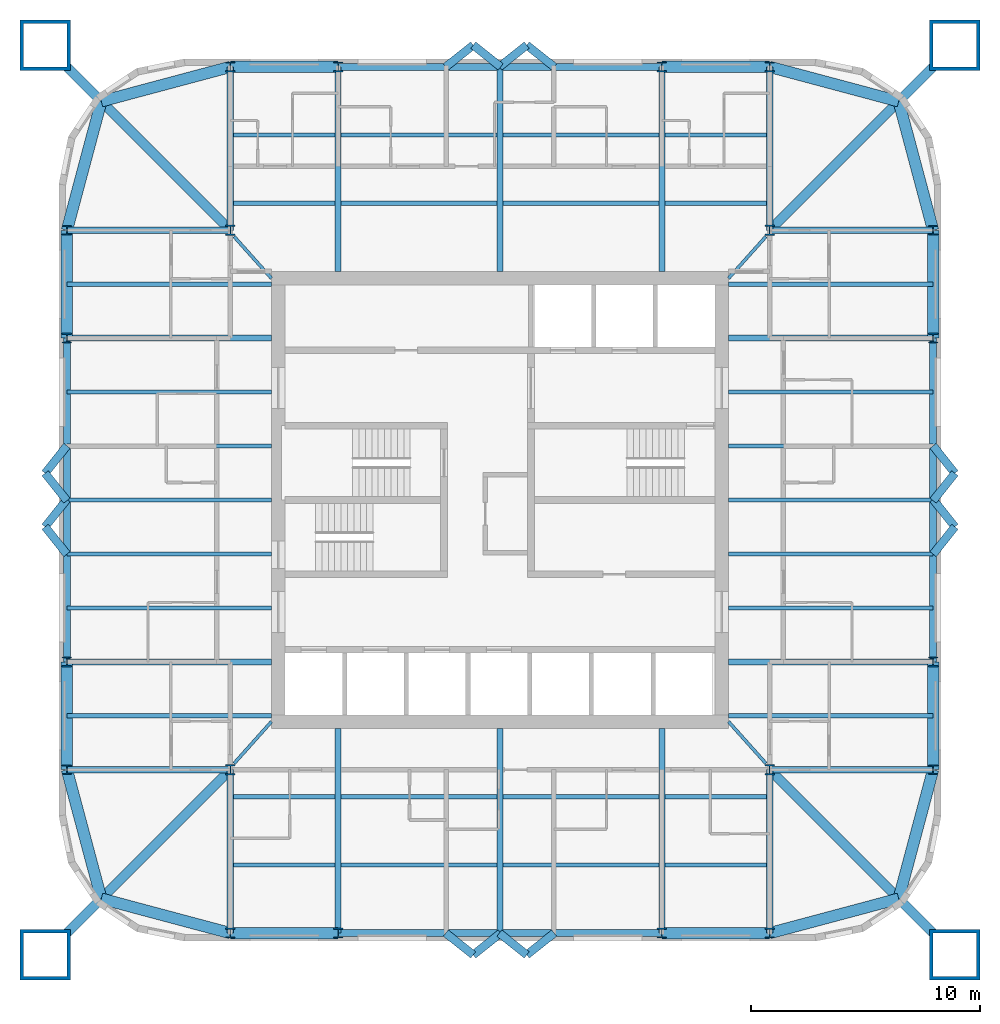
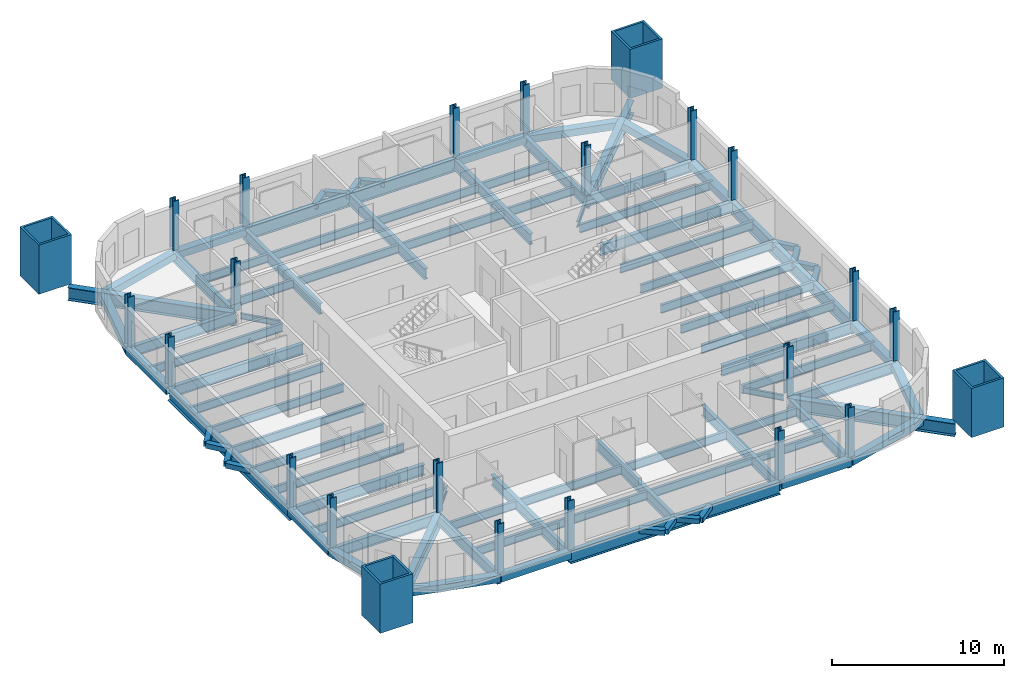
# One storey, part 1 of 9: 92 beams, 24 columns.
"""IFC4 building model written with IfcOpenShell, lengths in metres."""

import ifcopenshell
import ifcopenshell.guid

model = None  # the IFC model being written
_history = None  # IfcOwnerHistory: only IFC2X3 demands one
_inside = {}  # id of a spatial element -> (the spatial element, [elements in it])
_under = {}  # id of a project, library or spatial element -> (it, [spatial elements below it])
_declared = {}  # id of a project -> (the project, [libraries it declares])
_typed = {}  # id of a type object -> (the type object, [elements of that type])
_made_of = {}  # id of a material, layer set ... -> (it, [elements and type objects made of it])


def new_model(schema):
    """Start an empty IFC model of exactly this schema.

    Asked for "IFC4X3", IfcOpenShell would pick the latest addendum, in which some entities
    have other attributes; the version numbers below select the first issue.
    IFC2X3 requires an IfcOwnerHistory on every rooted entity: one is made here for all.
    """
    global model, _history
    if schema == "IFC4X3":
        model = ifcopenshell.file(schema_version=(4, 3, 0, 0))
    else:
        model = ifcopenshell.file(schema=schema)
    _inside.clear()
    _under.clear()
    _declared.clear()
    _typed.clear()
    _made_of.clear()
    _history = None
    if model.schema == "IFC2X3":
        org = make("IfcOrganization", Name="unknown")
        user = make(
            "IfcPersonAndOrganization",
            ThePerson=make("IfcPerson", FamilyName="unknown"),
            TheOrganization=org,
        )
        app = make(
            "IfcApplication",
            ApplicationDeveloper=org,
            Version="unknown",
            ApplicationFullName="unknown",
            ApplicationIdentifier="unknown",
        )
        _history = make(
            "IfcOwnerHistory",
            OwningUser=user,
            OwningApplication=app,
            ChangeAction="ADDED",
            CreationDate=0,
        )
    return model


def make(cls, **values):
    """One entity of the class cls with the attributes given. An attribute that is None is left unset."""
    return model.create_entity(
        cls, **{name: value for name, value in values.items() if value is not None}
    )


def rooted(cls, **values):
    """An entity with a GlobalId (a new one), such as an element, a storey or a relation."""
    return make(cls, GlobalId=ifcopenshell.guid.new(), OwnerHistory=_history, **values)


def si_unit(unit_type, name, prefix=None):
    """IfcSIUnit, for example si_unit("LENGTHUNIT", "METRE", prefix="MILLI")."""
    return make("IfcSIUnit", UnitType=unit_type, Prefix=prefix, Name=name)


def assignment(units):
    """IfcUnitAssignment: the units of a project."""
    return None if units is None else make("IfcUnitAssignment", Units=units)


def point(xyz):
    """IfcCartesianPoint."""
    return None if xyz is None else make("IfcCartesianPoint", Coordinates=xyz)


def direction(xyz):
    """IfcDirection."""
    return None if xyz is None else make("IfcDirection", DirectionRatios=xyz)


def frame(location, z_axis=None, x_axis=None):
    """IfcAxis2Placement3D, a coordinate frame: its origin and axes. An axis left out is left unset."""
    return make(
        "IfcAxis2Placement3D",
        Location=point(location),
        Axis=direction(z_axis),
        RefDirection=direction(x_axis),
    )


def frame_2d(location, x_axis=None):
    """IfcAxis2Placement2D, a coordinate frame in the plane: its origin and x axis."""
    return make(
        "IfcAxis2Placement2D", Location=point(location), RefDirection=direction(x_axis)
    )


def origin():
    """The frame at (0, 0, 0) with its axes left unset."""
    return frame((0.0, 0.0, 0.0))


def origin_2d():
    """The frame at (0, 0) in the plane with its x axis left unset."""
    return frame_2d((0.0, 0.0))


def place(relative_to, where):
    """IfcLocalPlacement: puts the frame where relative to a parent placement (None: the world)."""
    return make(
        "IfcLocalPlacement", PlacementRelTo=relative_to, RelativePlacement=where
    )


def context(
    kind, dimensions, precision=None, world=None, true_north=None, identifier=None
):
    """IfcGeometricRepresentationContext, for example the 3D "Model" context."""
    return make(
        "IfcGeometricRepresentationContext",
        ContextIdentifier=identifier,
        ContextType=kind,
        CoordinateSpaceDimension=dimensions,
        Precision=precision,
        WorldCoordinateSystem=world,
        TrueNorth=true_north,
    )


def subcontext(parent, identifier, kind, view, scale=None):
    """IfcGeometricRepresentationSubContext, for example "Body" below "Model"."""
    return make(
        "IfcGeometricRepresentationSubContext",
        ContextIdentifier=identifier,
        ContextType=kind,
        ParentContext=parent,
        TargetScale=scale,
        TargetView=view,
    )


def project(units=None, contexts=None):
    """IfcProject with its units and contexts."""
    return rooted(
        "IfcProject",
        Name="project",
        RepresentationContexts=contexts,
        UnitsInContext=assignment(units),
    )


def spatial(cls, under=None, at=None, **own):
    """A site, building, storey or space (cls), placed at a placement, below another one or the project."""
    s = rooted(cls, ObjectPlacement=at, **own)
    if under is not None:
        _under.setdefault(under.id(), (under, []))[1].append(s)
    return s


def profile(cls, at=None, kind="AREA", **sizes):
    """A parametric profile (cls). Its sizes go by their IFC names, for example OverallWidth=200.0."""
    return make(cls, ProfileType=kind, Position=at, **sizes)


def hollow_rectangle(**sizes):
    """IfcRectangleHollowProfileDef."""
    return profile("IfcRectangleHollowProfileDef", **sizes)


def i_section(**sizes):
    """IfcIShapeProfileDef."""
    return profile("IfcIShapeProfileDef", **sizes)


def extrude(swept, where, along, depth):
    """IfcExtrudedAreaSolid: the profile swept, set in the frame where, extruded along a direction by depth."""
    return make(
        "IfcExtrudedAreaSolid",
        SweptArea=swept,
        Position=where,
        ExtrudedDirection=direction(along),
        Depth=depth,
    )


def shape(context_of_items, identifier, shape_type, items):
    """IfcShapeRepresentation: the items that make up one representation, for example the "Body"."""
    return make(
        "IfcShapeRepresentation",
        ContextOfItems=context_of_items,
        RepresentationIdentifier=identifier,
        RepresentationType=shape_type,
        Items=items,
    )


def material(Name=None, Category=None):
    """IfcMaterial."""
    return make("IfcMaterial", Name=Name, Category=Category)


def material_profile(
    of_material, cross_section, Name=None, Category=None, Priority=None
):
    """IfcMaterialProfile: a cross section and its material."""
    return make(
        "IfcMaterialProfile",
        Name=Name,
        Material=of_material,
        Profile=cross_section,
        Priority=Priority,
        Category=Category,
    )


def profile_set(profiles, Name=None, composite=None):
    """IfcMaterialProfileSet."""
    return make(
        "IfcMaterialProfileSet",
        Name=Name,
        MaterialProfiles=profiles,
        CompositeProfile=composite,
    )


def made_of(thing, what):
    """Note that an element or type object is made of a material, layer set ...; save() writes the relation."""
    if what is not None:
        _made_of.setdefault(what.id(), (what, []))[1].append(thing)
    return thing


def type_object(cls, material=None, **own):
    """A type object (cls), such as IfcWallType, which elements share."""
    return made_of(rooted(cls, **own), material)


def element(
    cls,
    number,
    at=None,
    inside=None,
    cuts=None,
    type_object=None,
    material=None,
    context=None,
    identifier="Body",
    shape_type=None,
    held_by="IfcProductDefinitionShape",
    body=None,
    shapes=None,
    **own,
):
    """One element of the class cls, such as IfcWall. Its Tag is "e" and its number.

    at: its placement. inside: the storey or other place that contains it. cuts: it is an
    opening in that element (IfcRelVoidsElement). A single representation is given by context,
    identifier, shape_type and body (its items); several are given by shapes. held_by: the class
    of the entity that holds the representations. save() writes the other relations.
    """
    e = rooted(cls, Tag="e%d" % number, ObjectPlacement=at, **own)
    if body is not None:
        shapes = [shape(context, identifier, shape_type, body)]
    if shapes is not None:
        e.Representation = make(held_by, Representations=shapes)
    if inside is not None:
        _inside.setdefault(inside.id(), (inside, []))[1].append(e)
    if cuts is not None:
        rooted(
            "IfcRelVoidsElement", RelatingBuildingElement=cuts, RelatedOpeningElement=e
        )
    if type_object is not None:
        _typed.setdefault(type_object.id(), (type_object, []))[1].append(e)
    return made_of(e, material)


def aggregate(whole, parts):
    """IfcRelAggregates: a whole, such as a stair, and the parts it consists of."""
    return rooted("IfcRelAggregates", RelatingObject=whole, RelatedObjects=parts)


def save(model, path):
    """Write the relations noted so far, then the file.

    IfcRelAggregates (storeys below a building ...), IfcRelContainedInSpatialStructure (elements
    in a storey), IfcRelDefinesByType, IfcRelAssociatesMaterial and IfcRelDeclares: one each for
    every whole, place, type object, material and project.
    """
    for whole, parts in _under.values():
        aggregate(whole, parts)
    for where, things in _inside.values():
        rooted(
            "IfcRelContainedInSpatialStructure",
            RelatedElements=things,
            RelatingStructure=where,
        )
    for kind, things in _typed.values():
        rooted("IfcRelDefinesByType", RelatedObjects=things, RelatingType=kind)
    for what, things in _made_of.values():
        rooted("IfcRelAssociatesMaterial", RelatedObjects=things, RelatingMaterial=what)
    for by, libraries in _declared.values():
        rooted("IfcRelDeclares", RelatingContext=by, RelatedDefinitions=libraries)
    model.write(path)


model = new_model("IFC4")

# Units and contexts
model_context = context("Model", 3, precision=1e-05, world=origin(), true_north=direction((0.0, 1.0)))
body_context = subcontext(model_context, "Body", "Model", "MODEL_VIEW")
ifc_project = project(units=[si_unit("LENGTHUNIT", "METRE"), si_unit("AREAUNIT", "SQUARE_METRE"), si_unit("VOLUMEUNIT", "CUBIC_METRE"), si_unit("PLANEANGLEUNIT", "RADIAN"), si_unit("MASSUNIT", "GRAM", prefix="KILO")], contexts=[model_context])

# Site, building, storey
site_placement = place(None, origin())
site = spatial("IfcSite", under=ifc_project, at=site_placement, CompositionType="ELEMENT")
building_placement = place(site_placement, origin())
building = spatial("IfcBuilding", under=site, at=building_placement, Name="Turquesa Mirador Hotel Tower", CompositionType="ELEMENT")
storey_placement = place(building_placement, frame((0.0, 0.0, 189.800048828125)))
storey = spatial("IfcBuildingStorey", under=building, at=storey_placement, Name="L51", CompositionType="ELEMENT", Elevation=189.800048828125)

# Columns
ifc_material_1 = material(Name="Steel ASTM A992 Grade 50", Category="steel")
ifc_material_profile_1 = material_profile(ifc_material_1, i_section(OverallWidth=0.411376953125, OverallDepth=0.434326171875, WebThickness=0.035888671875, FlangeThickness=0.057373046875, at=origin_2d()), Name="W14X311")
ifc_profile_set_1 = profile_set([ifc_material_profile_1], Name="Steel ASTM A992 Grade 50")
column_type_1 = type_object("IfcColumnType", Name="COLUMN W14X311", PredefinedType="COLUMN", material=ifc_profile_set_1)
for number, where, z_axis, x_axis, name in (
    (1, (36.050048828125, 33.199951171875, 0.0), (0.0, 0.0, 1.0), (1.0, 0.0, 0.0), "COL-L51-P--18.95--11.80"),
    (2, (36.050048828125, 37.919921875, 0.0), (0.0, 0.0, 1.0), (1.0, 0.0, 0.0), "COL-L51-P--18.95--7.08"),
    (3, (36.050048828125, 52.080078125, 0.0), (0.0, 0.0, 1.0), (1.0, 0.0, 0.0), "COL-L51-P--18.95-+7.08"),
    (4, (36.050048828125, 56.800048828125, 0.0), (0.0, 0.0, 1.0), (1.0, 0.0, 0.0), "COL-L51-P--18.95-+11.80"),
    (5, (43.199951171875, 26.050048828125, 0.0), (0.0, 0.0, 1.0), (1.0, 0.0, 0.0), "COL-L51-P--11.80--18.95"),
    (6, (43.199951171875, 63.949951171875, 0.0), (0.0, 0.0, 1.0), (1.0, 0.0, 0.0), "COL-L51-P--11.80-+18.95"),
    (7, (47.919921875, 26.050048828125, 0.0), (0.0, 0.0, 1.0), (1.0, 0.0, 0.0), "COL-L51-P--7.08--18.95"),
    (8, (47.919921875, 63.949951171875, 0.0), (0.0, 0.0, 1.0), (1.0, 0.0, 0.0), "COL-L51-P--7.08-+18.95"),
    (9, (62.080078125, 26.050048828125, 0.0), (0.0, 0.0, 1.0), (1.0, 0.0, 0.0), "COL-L51-P-+7.08--18.95"),
    (10, (62.080078125, 63.949951171875, 0.0), (0.0, 0.0, 1.0), (1.0, 0.0, 0.0), "COL-L51-P-+7.08-+18.95"),
    (11, (66.800048828125, 26.050048828125, 0.0), (0.0, 0.0, 1.0), (1.0, 0.0, 0.0), "COL-L51-P-+11.80--18.95"),
    (12, (66.800048828125, 63.949951171875, 0.0), (0.0, 0.0, 1.0), (1.0, 0.0, 0.0), "COL-L51-P-+11.80-+18.95"),
    (13, (73.949951171875, 33.199951171875, 0.0), (0.0, 0.0, 1.0), (1.0, 0.0, 0.0), "COL-L51-P-+18.95--11.80"),
    (14, (73.949951171875, 37.919921875, 0.0), (0.0, 0.0, 1.0), (1.0, 0.0, 0.0), "COL-L51-P-+18.95--7.08"),
    (15, (73.949951171875, 52.080078125, 0.0), (0.0, 0.0, 1.0), (1.0, 0.0, 0.0), "COL-L51-P-+18.95-+7.08"),
    (16, (73.949951171875, 56.800048828125, 0.0), (0.0, 0.0, 1.0), (1.0, 0.0, 0.0), "COL-L51-P-+18.95-+11.80"),
):
    element("IfcColumn", number, at=place(storey_placement, frame(where, z_axis=z_axis, x_axis=x_axis)), inside=storey, type_object=column_type_1, Name=name, PredefinedType="COLUMN", context=body_context, shape_type="SweptSolid", body=[
        extrude(i_section(OverallWidth=0.411376953125, OverallDepth=0.434326171875, WebThickness=0.035888671875, FlangeThickness=0.057373046875, at=origin_2d()), origin(), (0.0, 0.0, 1.0), 3.5),
    ])
ifc_material_2 = material(Name="Steel ASTM A992 Grade 50", Category="steel")
ifc_material_profile_2 = material_profile(ifc_material_2, i_section(OverallWidth=0.421630859375, OverallDepth=0.46484375, WebThickness=0.044921875, FlangeThickness=0.072509765625, at=origin_2d()), Name="W14X398")
ifc_profile_set_2 = profile_set([ifc_material_profile_2], Name="Steel ASTM A992 Grade 50")
column_type_2 = type_object("IfcColumnType", Name="COLUMN W14X398", PredefinedType="COLUMN", material=ifc_profile_set_2)
for number, where, z_axis, x_axis, name in (
    (17, (43.199951171875, 33.199951171875, 0.0), (0.0, 0.0, 1.0), (1.0, 0.0, 0.0), "COL-L51-K--11.80--11.80"),
    (18, (43.199951171875, 56.800048828125, 0.0), (0.0, 0.0, 1.0), (1.0, 0.0, 0.0), "COL-L51-K--11.80-+11.80"),
    (19, (66.800048828125, 33.199951171875, 0.0), (0.0, 0.0, 1.0), (1.0, 0.0, 0.0), "COL-L51-K-+11.80--11.80"),
    (20, (66.800048828125, 56.800048828125, 0.0), (0.0, 0.0, 1.0), (1.0, 0.0, 0.0), "COL-L51-K-+11.80-+11.80"),
):
    element("IfcColumn", number, at=place(storey_placement, frame(where, z_axis=z_axis, x_axis=x_axis)), inside=storey, type_object=column_type_2, Name=name, PredefinedType="COLUMN", context=body_context, shape_type="SweptSolid", body=[
        extrude(i_section(OverallWidth=0.421630859375, OverallDepth=0.46484375, WebThickness=0.044921875, FlangeThickness=0.072509765625, at=origin_2d()), origin(), (0.0, 0.0, 1.0), 3.5),
    ])
ifc_material_3 = material(Name="Steel ASTM A514 Grade Q", Category="steel")
ifc_material_profile_3 = material_profile(ifc_material_3, hollow_rectangle(XDim=2.199951171875, YDim=2.199951171875, WallThickness=0.14990234375, at=origin_2d()), Name="BOX2200X2200X150")
ifc_profile_set_3 = profile_set([ifc_material_profile_3], Name="Steel ASTM A514 Grade Q")
column_type_3 = type_object("IfcColumnType", Name="MEGA COLUMN BOX2200X2200X150", PredefinedType="COLUMN", material=ifc_profile_set_3)
for number, where, z_axis, x_axis, name in (
    (21, (74.89990234375, 64.89990234375, 0.0), (0.0, 0.0, 1.0), (1.0, 0.0, 0.0), "Mega column M1"),
    (22, (35.10009765625, 64.89990234375, 0.0), (0.0, 0.0, 1.0), (1.0, 0.0, 0.0), "Mega column M2"),
    (23, (35.10009765625, 25.10009765625, 0.0), (0.0, 0.0, 1.0), (1.0, 0.0, 0.0), "Mega column M3"),
    (24, (74.89990234375, 25.10009765625, 0.0), (0.0, 0.0, 1.0), (1.0, 0.0, 0.0), "Mega column M4"),
):
    element("IfcColumn", number, at=place(storey_placement, frame(where, z_axis=z_axis, x_axis=x_axis)), inside=storey, type_object=column_type_3, Name=name, PredefinedType="COLUMN", context=body_context, shape_type="SweptSolid", body=[
        extrude(hollow_rectangle(XDim=2.199951171875, YDim=2.199951171875, WallThickness=0.14990234375, at=origin_2d()), origin(), (0.0, 0.0, 1.0), 3.5),
    ])

# Beams
ifc_material_4 = material(Name="Steel ASTM A572 Grade 50", Category="steel")
ifc_material_profile_4 = material_profile(ifc_material_4, hollow_rectangle(XDim=0.5, YDim=0.5, WallThickness=0.01611328125, at=origin_2d()), Name="BOX500X500X16")
ifc_profile_set_4 = profile_set([ifc_material_profile_4], Name="Steel ASTM A572 Grade 50")
beam_type_1 = type_object("IfcBeamType", Name="BEAM BOX500X500X16", PredefinedType="BEAM", material=ifc_profile_set_4)
for number, where, z_axis, x_axis, name in (
    (25, (43.199951171875, 63.949951171875, -0.420166015625), (1.0, 0.0, 0.0), (0.0, 1.0, 0.0), "EB-L51-N-L"),
    (26, (62.080078125, 63.949951171875, -0.420166015625), (1.0, 0.0, 0.0), (0.0, 1.0, 0.0), "EB-L51-N-R"),
    (27, (43.199951171875, 26.050048828125, -0.420166015625), (1.0, 0.0, 0.0), (0.0, 1.0, 0.0), "EB-L51-S-L"),
    (28, (62.080078125, 26.050048828125, -0.420166015625), (1.0, 0.0, 0.0), (0.0, 1.0, 0.0), "EB-L51-S-R"),
    (29, (73.949951171875, 33.199951171875, -0.420166015625), (0.0, 1.0, 0.0), (-1.0, 0.0, 0.0), "EB-L51-E-L"),
    (30, (73.949951171875, 52.080078125, -0.420166015625), (0.0, 1.0, 0.0), (-1.0, 0.0, 0.0), "EB-L51-E-R"),
    (31, (36.050048828125, 33.199951171875, -0.420166015625), (0.0, 1.0, 0.0), (-1.0, 0.0, 0.0), "EB-L51-W-L"),
    (32, (36.050048828125, 52.080078125, -0.420166015625), (0.0, 1.0, 0.0), (-1.0, 0.0, 0.0), "EB-L51-W-R"),
):
    element("IfcBeam", number, at=place(storey_placement, frame(where, z_axis=z_axis, x_axis=x_axis)), inside=storey, type_object=beam_type_1, Name=name, PredefinedType="BEAM", context=body_context, shape_type="SweptSolid", body=[
        extrude(hollow_rectangle(XDim=0.5, YDim=0.5, WallThickness=0.01611328125, at=origin_2d()), origin(), (0.0, 0.0, 1.0), 4.719970703125),
    ])
for number, where, z_axis, x_axis, name in (
    (33, (73.949951171875, 56.800048828125, -0.420166015625), (-0.258281892145, 0.966069595935, 0.0), (-0.966069595935, -0.258281892145, 0.0), "KE-L51-1-0"),
    (34, (72.441650390625, 62.441650390625, -0.420166015625), (-0.966069595935, 0.258281892145, 0.0), (-0.258281892145, -0.966069595935, 0.0), "KE-L51-1-1"),
    (35, (36.050048828125, 56.800048828125, -0.420166015625), (0.258281892145, 0.966069595935, 0.0), (-0.966069595935, 0.258281892145, 0.0), "KE-L51-2-0"),
    (36, (37.558349609375, 62.441650390625, -0.420166015625), (0.966069595935, 0.258281892145, 0.0), (-0.258281892145, 0.966069595935, 0.0), "KE-L51-2-1"),
    (37, (36.050048828125, 33.199951171875, -0.420166015625), (0.258281892145, -0.966069595935, 0.0), (0.966069595935, 0.258281892145, 0.0), "KE-L51-3-0"),
    (38, (37.558349609375, 27.558349609375, -0.420166015625), (0.966069595935, -0.258281892145, 0.0), (0.258281892145, 0.966069595935, 0.0), "KE-L51-3-1"),
    (39, (73.949951171875, 33.199951171875, -0.420166015625), (-0.258281892145, -0.966069595935, 0.0), (0.966069595935, -0.258281892145, 0.0), "KE-L51-4-0"),
    (40, (72.441650390625, 27.558349609375, -0.420166015625), (-0.966069595935, -0.258281892145, 0.0), (0.258281892145, -0.966069595935, 0.0), "KE-L51-4-1"),
):
    element("IfcBeam", number, at=place(storey_placement, frame(where, z_axis=z_axis, x_axis=x_axis)), inside=storey, type_object=beam_type_1, Name=name, PredefinedType="BEAM", context=body_context, shape_type="SweptSolid", body=[
        extrude(hollow_rectangle(XDim=0.5, YDim=0.5, WallThickness=0.01611328125, at=origin_2d()), origin(), (0.0, 0.0, 1.0), 5.83984375),
    ])
ifc_material_5 = material(Name="Steel ASTM A992 Grade 50", Category="steel")
ifc_material_profile_5 = material_profile(ifc_material_5, i_section(OverallWidth=0.140380859375, OverallDepth=0.40380859375, WebThickness=0.007080078125, FlangeThickness=0.01123046875, at=origin_2d()), Name="W16X31")
ifc_profile_set_5 = profile_set([ifc_material_profile_5], Name="Steel ASTM A992 Grade 50")
beam_type_2 = type_object("IfcBeamType", Name="BEAM W16X31", PredefinedType="BEAM", material=ifc_profile_set_5)
for number, where, z_axis, x_axis, name in (
    (41, (66.634765625, 56.527099609375, -0.3720703125), (-0.666783216266, -0.745251730964, 0.0), (0.745251730964, -0.666783216266, 0.0), "KT-L51-1"),
    (42, (43.365234375, 56.527099609375, -0.3720703125), (0.666783216266, -0.745251730964, 0.0), (0.745251730964, 0.666783216266, 0.0), "KT-L51-2"),
    (43, (43.365234375, 33.472900390625, -0.3720703125), (0.666783216266, 0.745251730964, 0.0), (-0.745251730964, 0.666783216266, 0.0), "KT-L51-3"),
    (44, (66.634765625, 33.472900390625, -0.3720703125), (-0.666783216266, 0.745251730964, 0.0), (-0.745251730964, -0.666783216266, 0.0), "KT-L51-4"),
):
    element("IfcBeam", number, at=place(storey_placement, frame(where, z_axis=z_axis, x_axis=x_axis)), inside=storey, type_object=beam_type_2, Name=name, PredefinedType="BEAM", context=body_context, shape_type="SweptSolid", body=[
        extrude(i_section(OverallWidth=0.140380859375, OverallDepth=0.40380859375, WebThickness=0.007080078125, FlangeThickness=0.01123046875, at=origin_2d()), origin(), (0.0, 0.0, 1.0), 2.45166015625),
    ])
ifc_material_6 = material(Name="Steel ASTM A992 Grade 50", Category="steel")
ifc_material_profile_6 = material_profile(ifc_material_6, i_section(OverallWidth=0.177978515625, OverallDepth=0.599365234375, WebThickness=0.010009765625, FlangeThickness=0.012939453125, at=origin_2d()), Name="W24X55")
ifc_profile_set_6 = profile_set([ifc_material_profile_6], Name="Steel ASTM A992 Grade 50")
beam_type_3 = type_object("IfcBeamType", Name="BEAM W24X55", PredefinedType="BEAM", material=ifc_profile_set_6)
beam_1_placement = place(storey_placement, frame((43.333251953125, 57.98291015625, -0.4697265625), z_axis=(1.0, 0.0, 0.0), x_axis=(0.0, 1.0, 0.0)))
element("IfcBeam", 45, at=beam_1_placement, inside=storey, type_object=beam_type_3, Name="IB-L51-N-1-0", PredefinedType="BEAM", context=body_context, shape_type="SweptSolid", body=[
    extrude(i_section(OverallWidth=0.177978515625, OverallDepth=0.599365234375, WebThickness=0.010009765625, FlangeThickness=0.012939453125, at=origin_2d()), origin(), (0.0, 0.0, 1.0), 4.453369140625),
])
for number, where, z_axis, x_axis, name in (
    (46, (48.053466796875, 57.98291015625, -0.4697265625), (1.0, 0.0, 0.0), (0.0, 1.0, 0.0), "IB-L51-N-1-1"),
    (47, (55.13330078125, 57.98291015625, -0.4697265625), (1.0, 0.0, 0.0), (0.0, 1.0, 0.0), "IB-L51-N-1-2"),
):
    element("IfcBeam", number, at=place(storey_placement, frame(where, z_axis=z_axis, x_axis=x_axis)), inside=storey, type_object=beam_type_3, Name=name, PredefinedType="BEAM", context=body_context, shape_type="SweptSolid", body=[
        extrude(i_section(OverallWidth=0.177978515625, OverallDepth=0.599365234375, WebThickness=0.010009765625, FlangeThickness=0.012939453125, at=origin_2d()), origin(), (0.0, 0.0, 1.0), 6.813232421875),
    ])
for number, where, z_axis, x_axis, name in (
    (48, (62.21337890625, 57.98291015625, -0.4697265625), (1.0, 0.0, 0.0), (0.0, 1.0, 0.0), "IB-L51-N-1-3"),
    (49, (43.333251953125, 60.967041015625, -0.4697265625), (1.0, 0.0, 0.0), (0.0, 1.0, 0.0), "IB-L51-N-2-0"),
):
    element("IfcBeam", number, at=place(storey_placement, frame(where, z_axis=z_axis, x_axis=x_axis)), inside=storey, type_object=beam_type_3, Name=name, PredefinedType="BEAM", context=body_context, shape_type="SweptSolid", body=[
        extrude(i_section(OverallWidth=0.177978515625, OverallDepth=0.599365234375, WebThickness=0.010009765625, FlangeThickness=0.012939453125, at=origin_2d()), origin(), (0.0, 0.0, 1.0), 4.453369140625),
    ])
for number, where, z_axis, x_axis, name in (
    (50, (48.053466796875, 60.967041015625, -0.4697265625), (1.0, 0.0, 0.0), (0.0, 1.0, 0.0), "IB-L51-N-2-1"),
    (51, (55.13330078125, 60.967041015625, -0.4697265625), (1.0, 0.0, 0.0), (0.0, 1.0, 0.0), "IB-L51-N-2-2"),
):
    element("IfcBeam", number, at=place(storey_placement, frame(where, z_axis=z_axis, x_axis=x_axis)), inside=storey, type_object=beam_type_3, Name=name, PredefinedType="BEAM", context=body_context, shape_type="SweptSolid", body=[
        extrude(i_section(OverallWidth=0.177978515625, OverallDepth=0.599365234375, WebThickness=0.010009765625, FlangeThickness=0.012939453125, at=origin_2d()), origin(), (0.0, 0.0, 1.0), 6.813232421875),
    ])
for number, where, z_axis, x_axis, name in (
    (52, (62.21337890625, 60.967041015625, -0.4697265625), (1.0, 0.0, 0.0), (0.0, 1.0, 0.0), "IB-L51-N-2-3"),
    (53, (43.333251953125, 32.01708984375, -0.4697265625), (1.0, 0.0, 0.0), (0.0, 1.0, 0.0), "IB-L51-S-1-0"),
):
    element("IfcBeam", number, at=place(storey_placement, frame(where, z_axis=z_axis, x_axis=x_axis)), inside=storey, type_object=beam_type_3, Name=name, PredefinedType="BEAM", context=body_context, shape_type="SweptSolid", body=[
        extrude(i_section(OverallWidth=0.177978515625, OverallDepth=0.599365234375, WebThickness=0.010009765625, FlangeThickness=0.012939453125, at=origin_2d()), origin(), (0.0, 0.0, 1.0), 4.453369140625),
    ])
for number, where, z_axis, x_axis, name in (
    (54, (48.053466796875, 32.01708984375, -0.4697265625), (1.0, 0.0, 0.0), (0.0, 1.0, 0.0), "IB-L51-S-1-1"),
    (55, (55.13330078125, 32.01708984375, -0.4697265625), (1.0, 0.0, 0.0), (0.0, 1.0, 0.0), "IB-L51-S-1-2"),
):
    element("IfcBeam", number, at=place(storey_placement, frame(where, z_axis=z_axis, x_axis=x_axis)), inside=storey, type_object=beam_type_3, Name=name, PredefinedType="BEAM", context=body_context, shape_type="SweptSolid", body=[
        extrude(i_section(OverallWidth=0.177978515625, OverallDepth=0.599365234375, WebThickness=0.010009765625, FlangeThickness=0.012939453125, at=origin_2d()), origin(), (0.0, 0.0, 1.0), 6.813232421875),
    ])
for number, where, z_axis, x_axis, name in (
    (56, (62.21337890625, 32.01708984375, -0.4697265625), (1.0, 0.0, 0.0), (0.0, 1.0, 0.0), "IB-L51-S-1-3"),
    (57, (43.333251953125, 29.032958984375, -0.4697265625), (1.0, 0.0, 0.0), (0.0, 1.0, 0.0), "IB-L51-S-2-0"),
):
    element("IfcBeam", number, at=place(storey_placement, frame(where, z_axis=z_axis, x_axis=x_axis)), inside=storey, type_object=beam_type_3, Name=name, PredefinedType="BEAM", context=body_context, shape_type="SweptSolid", body=[
        extrude(i_section(OverallWidth=0.177978515625, OverallDepth=0.599365234375, WebThickness=0.010009765625, FlangeThickness=0.012939453125, at=origin_2d()), origin(), (0.0, 0.0, 1.0), 4.453369140625),
    ])
for number, where, z_axis, x_axis, name in (
    (58, (48.053466796875, 29.032958984375, -0.4697265625), (1.0, 0.0, 0.0), (0.0, 1.0, 0.0), "IB-L51-S-2-1"),
    (59, (55.13330078125, 29.032958984375, -0.4697265625), (1.0, 0.0, 0.0), (0.0, 1.0, 0.0), "IB-L51-S-2-2"),
):
    element("IfcBeam", number, at=place(storey_placement, frame(where, z_axis=z_axis, x_axis=x_axis)), inside=storey, type_object=beam_type_3, Name=name, PredefinedType="BEAM", context=body_context, shape_type="SweptSolid", body=[
        extrude(i_section(OverallWidth=0.177978515625, OverallDepth=0.599365234375, WebThickness=0.010009765625, FlangeThickness=0.012939453125, at=origin_2d()), origin(), (0.0, 0.0, 1.0), 6.813232421875),
    ])
beam_2_placement = place(storey_placement, frame((62.21337890625, 29.032958984375, -0.4697265625), z_axis=(1.0, 0.0, 0.0), x_axis=(0.0, 1.0, 0.0)))
element("IfcBeam", 60, at=beam_2_placement, inside=storey, type_object=beam_type_3, Name="IB-L51-S-2-3", PredefinedType="BEAM", context=body_context, shape_type="SweptSolid", body=[
    extrude(i_section(OverallWidth=0.177978515625, OverallDepth=0.599365234375, WebThickness=0.010009765625, FlangeThickness=0.012939453125, at=origin_2d()), origin(), (0.0, 0.0, 1.0), 4.453369140625),
])
for number, where, z_axis, x_axis, name in (
    (61, (73.949951171875, 35.56005859375, -0.4697265625), (-1.0, 0.0, 0.0), (0.0, -1.0, 0.0), "BM-L51-E--9.44"),
    (62, (73.949951171875, 40.280029296875, -0.4697265625), (-1.0, 0.0, 0.0), (0.0, -1.0, 0.0), "BM-L51-E--4.72"),
    (63, (73.949951171875, 42.639892578125, -0.4697265625), (-1.0, 0.0, 0.0), (0.0, -1.0, 0.0), "BM-L51-E--2.36"),
    (64, (73.949951171875, 45.0, -0.4697265625), (-1.0, 0.0, 0.0), (0.0, -1.0, 0.0), "BM-L51-E-+0.00"),
    (65, (73.949951171875, 47.360107421875, -0.4697265625), (-1.0, 0.0, 0.0), (0.0, -1.0, 0.0), "BM-L51-E-+2.36"),
    (66, (73.949951171875, 49.719970703125, -0.4697265625), (-1.0, 0.0, 0.0), (0.0, -1.0, 0.0), "BM-L51-E-+4.72"),
    (67, (73.949951171875, 54.43994140625, -0.4697265625), (-1.0, 0.0, 0.0), (0.0, -1.0, 0.0), "BM-L51-E-+9.44"),
    (68, (36.050048828125, 35.56005859375, -0.4697265625), (1.0, 0.0, 0.0), (0.0, 1.0, 0.0), "BM-L51-W--9.44"),
    (69, (36.050048828125, 40.280029296875, -0.4697265625), (1.0, 0.0, 0.0), (0.0, 1.0, 0.0), "BM-L51-W--4.72"),
    (70, (36.050048828125, 42.639892578125, -0.4697265625), (1.0, 0.0, 0.0), (0.0, 1.0, 0.0), "BM-L51-W--2.36"),
    (71, (36.050048828125, 45.0, -0.4697265625), (1.0, 0.0, 0.0), (0.0, 1.0, 0.0), "BM-L51-W-+0.00"),
    (72, (36.050048828125, 47.360107421875, -0.4697265625), (1.0, 0.0, 0.0), (0.0, 1.0, 0.0), "BM-L51-W-+2.36"),
    (73, (36.050048828125, 49.719970703125, -0.4697265625), (1.0, 0.0, 0.0), (0.0, 1.0, 0.0), "BM-L51-W-+4.72"),
    (74, (36.050048828125, 54.43994140625, -0.4697265625), (1.0, 0.0, 0.0), (0.0, 1.0, 0.0), "BM-L51-W-+9.44"),
):
    element("IfcBeam", number, at=place(storey_placement, frame(where, z_axis=z_axis, x_axis=x_axis)), inside=storey, type_object=beam_type_3, Name=name, PredefinedType="BEAM", context=body_context, shape_type="SweptSolid", body=[
        extrude(i_section(OverallWidth=0.177978515625, OverallDepth=0.599365234375, WebThickness=0.010009765625, FlangeThickness=0.012939453125, at=origin_2d()), origin(), (0.0, 0.0, 1.0), 8.949951171875),
    ])
ifc_material_7 = material(Name="Steel ASTM A992 Grade 50", Category="steel")
ifc_material_profile_7 = material_profile(ifc_material_7, i_section(OverallWidth=0.2666015625, OverallDepth=0.7568359375, WebThickness=0.013916015625, FlangeThickness=0.019287109375, at=origin_2d()), Name="W30X108")
ifc_profile_set_7 = profile_set([ifc_material_profile_7], Name="Steel ASTM A992 Grade 50")
beam_type_4 = type_object("IfcBeamType", Name="BEAM W30X108", PredefinedType="BEAM", material=ifc_profile_set_7)
for number, where, z_axis, x_axis, name in (
    (75, (47.919921875, 63.949951171875, -0.548583984375), (0.0, -1.0, 0.0), (1.0, 0.0, 0.0), "GD-L51-N--7.08"),
    (76, (62.080078125, 63.949951171875, -0.548583984375), (0.0, -1.0, 0.0), (1.0, 0.0, 0.0), "GD-L51-N-+7.08"),
    (77, (55.0, 63.949951171875, -0.548583984375), (0.0, -1.0, 0.0), (1.0, 0.0, 0.0), "GD-L51-N-+0.00"),
):
    element("IfcBeam", number, at=place(storey_placement, frame(where, z_axis=z_axis, x_axis=x_axis)), inside=storey, type_object=beam_type_4, Name=name, PredefinedType="BEAM", context=body_context, shape_type="SweptSolid", body=[
        extrude(i_section(OverallWidth=0.2666015625, OverallDepth=0.7568359375, WebThickness=0.013916015625, FlangeThickness=0.019287109375, at=origin_2d()), origin(), (0.0, 0.0, 1.0), 8.949951171875),
    ])
for number, where, z_axis, x_axis, name in (
    (78, (43.199951171875, 63.949951171875, -0.548583984375), (0.0, -1.0, 0.0), (1.0, 0.0, 0.0), "GK-L51-N--11.80"),
    (79, (66.800048828125, 63.949951171875, -0.548583984375), (0.0, -1.0, 0.0), (1.0, 0.0, 0.0), "GK-L51-N-+11.80"),
):
    element("IfcBeam", number, at=place(storey_placement, frame(where, z_axis=z_axis, x_axis=x_axis)), inside=storey, type_object=beam_type_4, Name=name, PredefinedType="BEAM", context=body_context, shape_type="SweptSolid", body=[
        extrude(i_section(OverallWidth=0.2666015625, OverallDepth=0.7568359375, WebThickness=0.013916015625, FlangeThickness=0.019287109375, at=origin_2d()), origin(), (0.0, 0.0, 1.0), 7.14990234375),
    ])
for number, where, z_axis, x_axis, name in (
    (80, (47.919921875, 26.050048828125, -0.548583984375), (0.0, 1.0, 0.0), (-1.0, 0.0, 0.0), "GD-L51-S--7.08"),
    (81, (62.080078125, 26.050048828125, -0.548583984375), (0.0, 1.0, 0.0), (-1.0, 0.0, 0.0), "GD-L51-S-+7.08"),
    (82, (55.0, 26.050048828125, -0.548583984375), (0.0, 1.0, 0.0), (-1.0, 0.0, 0.0), "GD-L51-S-+0.00"),
):
    element("IfcBeam", number, at=place(storey_placement, frame(where, z_axis=z_axis, x_axis=x_axis)), inside=storey, type_object=beam_type_4, Name=name, PredefinedType="BEAM", context=body_context, shape_type="SweptSolid", body=[
        extrude(i_section(OverallWidth=0.2666015625, OverallDepth=0.7568359375, WebThickness=0.013916015625, FlangeThickness=0.019287109375, at=origin_2d()), origin(), (0.0, 0.0, 1.0), 8.949951171875),
    ])
for number, where, z_axis, x_axis, name in (
    (83, (43.199951171875, 26.050048828125, -0.548583984375), (0.0, 1.0, 0.0), (-1.0, 0.0, 0.0), "GK-L51-S--11.80"),
    (84, (66.800048828125, 26.050048828125, -0.548583984375), (0.0, 1.0, 0.0), (-1.0, 0.0, 0.0), "GK-L51-S-+11.80"),
):
    element("IfcBeam", number, at=place(storey_placement, frame(where, z_axis=z_axis, x_axis=x_axis)), inside=storey, type_object=beam_type_4, Name=name, PredefinedType="BEAM", context=body_context, shape_type="SweptSolid", body=[
        extrude(i_section(OverallWidth=0.2666015625, OverallDepth=0.7568359375, WebThickness=0.013916015625, FlangeThickness=0.019287109375, at=origin_2d()), origin(), (0.0, 0.0, 1.0), 7.14990234375),
    ])
for number, where, z_axis, x_axis, name in (
    (85, (73.949951171875, 37.919921875, -0.548583984375), (-1.0, 0.0, 0.0), (0.0, -1.0, 0.0), "GD-L51-E--7.08"),
    (86, (73.949951171875, 52.080078125, -0.548583984375), (-1.0, 0.0, 0.0), (0.0, -1.0, 0.0), "GD-L51-E-+7.08"),
):
    element("IfcBeam", number, at=place(storey_placement, frame(where, z_axis=z_axis, x_axis=x_axis)), inside=storey, type_object=beam_type_4, Name=name, PredefinedType="BEAM", context=body_context, shape_type="SweptSolid", body=[
        extrude(i_section(OverallWidth=0.2666015625, OverallDepth=0.7568359375, WebThickness=0.013916015625, FlangeThickness=0.019287109375, at=origin_2d()), origin(), (0.0, 0.0, 1.0), 8.949951171875),
    ])
for number, where, z_axis, x_axis, name in (
    (87, (73.949951171875, 33.199951171875, -0.548583984375), (-1.0, 0.0, 0.0), (0.0, -1.0, 0.0), "GK-L51-E--11.80"),
    (88, (73.949951171875, 56.800048828125, -0.548583984375), (-1.0, 0.0, 0.0), (0.0, -1.0, 0.0), "GK-L51-E-+11.80"),
):
    element("IfcBeam", number, at=place(storey_placement, frame(where, z_axis=z_axis, x_axis=x_axis)), inside=storey, type_object=beam_type_4, Name=name, PredefinedType="BEAM", context=body_context, shape_type="SweptSolid", body=[
        extrude(i_section(OverallWidth=0.2666015625, OverallDepth=0.7568359375, WebThickness=0.013916015625, FlangeThickness=0.019287109375, at=origin_2d()), origin(), (0.0, 0.0, 1.0), 7.14990234375),
    ])
for number, where, z_axis, x_axis, name in (
    (89, (36.050048828125, 37.919921875, -0.548583984375), (1.0, 0.0, 0.0), (0.0, 1.0, 0.0), "GD-L51-W--7.08"),
    (90, (36.050048828125, 52.080078125, -0.548583984375), (1.0, 0.0, 0.0), (0.0, 1.0, 0.0), "GD-L51-W-+7.08"),
):
    element("IfcBeam", number, at=place(storey_placement, frame(where, z_axis=z_axis, x_axis=x_axis)), inside=storey, type_object=beam_type_4, Name=name, PredefinedType="BEAM", context=body_context, shape_type="SweptSolid", body=[
        extrude(i_section(OverallWidth=0.2666015625, OverallDepth=0.7568359375, WebThickness=0.013916015625, FlangeThickness=0.019287109375, at=origin_2d()), origin(), (0.0, 0.0, 1.0), 8.949951171875),
    ])
for number, where, z_axis, x_axis, name in (
    (91, (36.050048828125, 33.199951171875, -0.548583984375), (1.0, 0.0, 0.0), (0.0, 1.0, 0.0), "GK-L51-W--11.80"),
    (92, (36.050048828125, 56.800048828125, -0.548583984375), (1.0, 0.0, 0.0), (0.0, 1.0, 0.0), "GK-L51-W-+11.80"),
):
    element("IfcBeam", number, at=place(storey_placement, frame(where, z_axis=z_axis, x_axis=x_axis)), inside=storey, type_object=beam_type_4, Name=name, PredefinedType="BEAM", context=body_context, shape_type="SweptSolid", body=[
        extrude(i_section(OverallWidth=0.2666015625, OverallDepth=0.7568359375, WebThickness=0.013916015625, FlangeThickness=0.019287109375, at=origin_2d()), origin(), (0.0, 0.0, 1.0), 7.14990234375),
    ])
ifc_material_8 = material(Name="Steel ASTM A992 Grade 50", Category="steel")
ifc_material_profile_8 = material_profile(ifc_material_8, i_section(OverallWidth=0.3046875, OverallDepth=0.911865234375, WebThickness=0.015869140625, FlangeThickness=0.02392578125, at=origin_2d()), Name="W36X150")
ifc_profile_set_8 = profile_set([ifc_material_profile_8], Name="Steel ASTM A992 Grade 50")
beam_type_5 = type_object("IfcBeamType", Name="BEAM W36X150", PredefinedType="BEAM", material=ifc_profile_set_8)
for number, where, z_axis, x_axis, name in (
    (93, (47.919921875, 63.949951171875, -0.6259765625), (1.0, 0.0, 0.0), (0.0, 1.0, 0.0), "EB-L51-N-C"),
    (94, (47.919921875, 26.050048828125, -0.6259765625), (1.0, 0.0, 0.0), (0.0, 1.0, 0.0), "EB-L51-S-C"),
    (95, (73.949951171875, 37.919921875, -0.6259765625), (0.0, 1.0, 0.0), (-1.0, 0.0, 0.0), "EB-L51-E-C"),
    (96, (36.050048828125, 37.919921875, -0.6259765625), (0.0, 1.0, 0.0), (-1.0, 0.0, 0.0), "EB-L51-W-C"),
):
    element("IfcBeam", number, at=place(storey_placement, frame(where, z_axis=z_axis, x_axis=x_axis)), inside=storey, type_object=beam_type_5, Name=name, PredefinedType="BEAM", context=body_context, shape_type="SweptSolid", body=[
        extrude(i_section(OverallWidth=0.3046875, OverallDepth=0.911865234375, WebThickness=0.015869140625, FlangeThickness=0.02392578125, at=origin_2d()), origin(), (0.0, 0.0, 1.0), 14.16015625),
    ])
ifc_material_9 = material(Name="Steel ASTM A992 Grade 50", Category="steel")
ifc_material_profile_9 = material_profile(ifc_material_9, i_section(OverallWidth=0.419189453125, OverallDepth=0.927001953125, WebThickness=0.019287109375, FlangeThickness=0.031982421875, at=origin_2d()), Name="W36X231")
ifc_profile_set_9 = profile_set([ifc_material_profile_9], Name="Steel ASTM A992 Grade 50")
beam_type_6 = type_object("IfcBeamType", Name="BEAM W36X231", PredefinedType="BEAM", material=ifc_profile_set_9)
for number, where, z_axis, x_axis, name in (
    (97, (66.800048828125, 56.800048828125, -0.633544921875), (0.707106781187, 0.707106781187, 0.0), (-0.707106781187, 0.707106781187, 0.0), "KD-L51-1"),
    (98, (43.199951171875, 56.800048828125, -0.633544921875), (-0.707106781187, 0.707106781187, 0.0), (-0.707106781187, -0.707106781187, 0.0), "KD-L51-2"),
    (99, (43.199951171875, 33.199951171875, -0.633544921875), (-0.707106781187, -0.707106781187, 0.0), (0.707106781187, -0.707106781187, 0.0), "KD-L51-3"),
    (100, (66.800048828125, 33.199951171875, -0.633544921875), (0.707106781187, -0.707106781187, 0.0), (0.707106781187, 0.707106781187, 0.0), "KD-L51-4"),
):
    element("IfcBeam", number, at=place(storey_placement, frame(where, z_axis=z_axis, x_axis=x_axis)), inside=storey, type_object=beam_type_6, Name=name, PredefinedType="BEAM", context=body_context, shape_type="SweptSolid", body=[
        extrude(i_section(OverallWidth=0.419189453125, OverallDepth=0.927001953125, WebThickness=0.019287109375, FlangeThickness=0.031982421875, at=origin_2d()), origin(), (0.0, 0.0, 1.0), 10.080322265625),
    ])
ifc_material_10 = material(Name="Steel ASTM A500 Grade C", Category="steel")
ifc_material_profile_10 = material_profile(ifc_material_10, hollow_rectangle(XDim=0.355712890625, YDim=0.355712890625, WallThickness=0.0146484375, at=origin_2d()), Name="HSS14X14X5/8")
ifc_profile_set_10 = profile_set([ifc_material_profile_10], Name="Steel ASTM A500 Grade C")
beam_type_7 = type_object("IfcBeamType", Name="BRACE STRUT HSS14X14X5/8", PredefinedType="BEAM", material=ifc_profile_set_10)
for number, where, z_axis, x_axis, name in (
    (101, (53.829345703125, 64.89990234375, -0.347900390625), (-0.784049059149, -0.620698858423, 0.0), (0.620698858423, -0.784049059149, 0.0), "Brace strut"),
    (102, (53.829345703125, 64.89990234375, -0.347900390625), (0.784049059149, -0.620698858423, 0.0), (0.620698858423, 0.784049059149, 0.0), "Brace strut"),
    (103, (56.170654296875, 64.89990234375, -0.347900390625), (-0.784049059149, -0.620698858423, 0.0), (0.620698858423, -0.784049059149, 0.0), "Brace strut"),
    (104, (56.170654296875, 64.89990234375, -0.347900390625), (0.784049059149, -0.620698858423, 0.0), (0.620698858423, 0.784049059149, 0.0), "Brace strut"),
    (105, (53.829345703125, 25.10009765625, -0.347900390625), (-0.784049059149, 0.620698858423, 0.0), (-0.620698858423, -0.784049059149, 0.0), "Brace strut"),
    (106, (53.829345703125, 25.10009765625, -0.347900390625), (0.784049059149, 0.620698858423, 0.0), (-0.620698858423, 0.784049059149, 0.0), "Brace strut"),
    (107, (56.170654296875, 25.10009765625, -0.347900390625), (-0.784049059149, 0.620698858423, 0.0), (-0.620698858423, -0.784049059149, 0.0), "Brace strut"),
    (108, (56.170654296875, 25.10009765625, -0.347900390625), (0.784049059149, 0.620698858423, 0.0), (-0.620698858423, 0.784049059149, 0.0), "Brace strut"),
    (109, (74.89990234375, 43.829345703125, -0.347900390625), (-0.620698858423, -0.784049059149, 0.0), (0.784049059149, -0.620698858423, 0.0), "Brace strut"),
    (110, (74.89990234375, 43.829345703125, -0.347900390625), (-0.620698858423, 0.784049059149, 0.0), (-0.784049059149, -0.620698858423, 0.0), "Brace strut"),
    (111, (74.89990234375, 46.170654296875, -0.347900390625), (-0.620698858423, -0.784049059149, 0.0), (0.784049059149, -0.620698858423, 0.0), "Brace strut"),
    (112, (74.89990234375, 46.170654296875, -0.347900390625), (-0.620698858423, 0.784049059149, 0.0), (-0.784049059149, -0.620698858423, 0.0), "Brace strut"),
    (113, (35.10009765625, 43.829345703125, -0.347900390625), (0.620698858423, -0.784049059149, 0.0), (0.784049059149, 0.620698858423, 0.0), "Brace strut"),
    (114, (35.10009765625, 43.829345703125, -0.347900390625), (0.620698858423, 0.784049059149, 0.0), (-0.784049059149, 0.620698858423, 0.0), "Brace strut"),
    (115, (35.10009765625, 46.170654296875, -0.347900390625), (0.620698858423, -0.784049059149, 0.0), (0.784049059149, 0.620698858423, 0.0), "Brace strut"),
    (116, (35.10009765625, 46.170654296875, -0.347900390625), (0.620698858423, 0.784049059149, 0.0), (-0.784049059149, 0.620698858423, 0.0), "Brace strut"),
):
    element("IfcBeam", number, at=place(storey_placement, frame(where, z_axis=z_axis, x_axis=x_axis)), inside=storey, type_object=beam_type_7, Name=name, PredefinedType="BEAM", context=body_context, shape_type="SweptSolid", body=[
        extrude(hollow_rectangle(XDim=0.355712890625, YDim=0.355712890625, WallThickness=0.0146484375, at=origin_2d()), origin(), (0.0, 0.0, 1.0), 1.530517578125),
    ])

save(model, "model.ifc")
